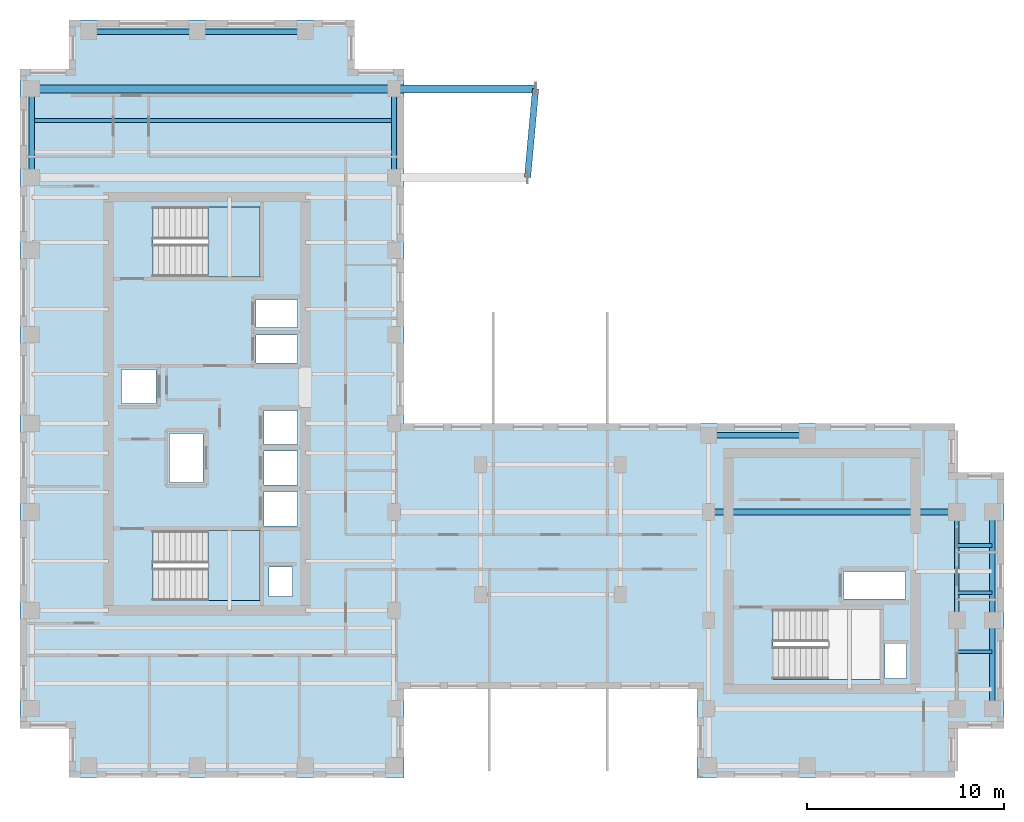
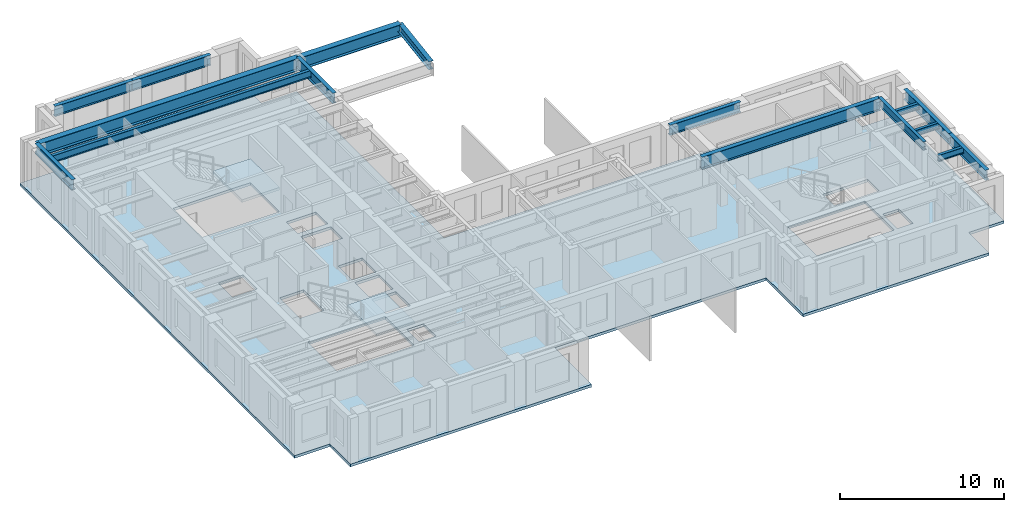
# One storey, part 2 of 11: 16 beams, 3 slabs, 2 elements without a shape of their own.
"""IFC4 building model written with IfcOpenShell, lengths in metres."""

from ifc_helpers import new_model, si_unit, direction, frame, origin, origin_2d, place, context, subcontext, project, spatial, polyline, i_section, outline, extrude, source, transform, mapped, material, layer, layer_set, material_profile, profile_set, type_object, element, aggregate, save


model = new_model("IFC4")

# Units and contexts
model_context = context("Model", 3, precision=1e-05, world=origin(), true_north=direction((0.0, 1.0)))
body_context = subcontext(model_context, "Body", "Model", "MODEL_VIEW")
ifc_project = project(units=[si_unit("LENGTHUNIT", "METRE"), si_unit("AREAUNIT", "SQUARE_METRE"), si_unit("VOLUMEUNIT", "CUBIC_METRE"), si_unit("PLANEANGLEUNIT", "RADIAN"), si_unit("MASSUNIT", "GRAM", prefix="KILO")], contexts=[model_context])

# Site, building, storey
site_placement = place(None, origin())
site = spatial("IfcSite", under=ifc_project, at=site_placement, CompositionType="ELEMENT")
building_placement = place(site_placement, origin())
building = spatial("IfcBuilding", under=site, at=building_placement, Name="Kharzan Plaza Tower", CompositionType="ELEMENT")
storey_placement = place(building_placement, frame((0.0, 0.0, 219.60009765625)))
storey = spatial("IfcBuildingStorey", under=building, at=storey_placement, Name="L59", CompositionType="ELEMENT", Elevation=219.60009765625)

# Beams
ifc_material_1 = material(Name="Steel S355", Category="steel")
ifc_material_profile_1 = material_profile(ifc_material_1, i_section(OverallWidth=0.304931640625, OverallDepth=0.9189453125, WebThickness=0.017333984375, FlangeThickness=0.02783203125, at=origin_2d()), Name="W920x253")
ifc_profile_set_1 = profile_set([ifc_material_profile_1], Name="Steel S355")
beam_type_1 = type_object("IfcBeamType", Name="BM-FG920B", PredefinedType="BEAM", material=ifc_profile_set_1)
shared_shape_1 = source(origin(), body_context, "Body", "SweptSolid", [
    extrude(i_section(OverallWidth=0.304931640625, OverallDepth=0.9189453125, WebThickness=0.017333984375, FlangeThickness=0.02783203125, at=origin_2d()), origin(), (0.0, 0.0, 1.0), 12.60009765625),
])
beam_1_placement = place(storey_placement, frame((35.0, 13.5, 2.9404296875), z_axis=(1.0, 0.0, 0.0), x_axis=(0.0, 1.0, 0.0)))
element("IfcBeam", 1, at=beam_1_placement, inside=storey, type_object=beam_type_1, Name="L59 Primary Floor Girder", PredefinedType="BEAM", context=body_context, shape_type="MappedRepresentation", body=[
    mapped(shared_shape_1, transform((0.0, 0.0, 0.0), x_axis=(1.0, 0.0, 0.0), y_axis=(0.0, 1.0, 0.0), z_axis=(0.0, 0.0, 1.0))),
])
ifc_material_profile_2 = material_profile(ifc_material_1, i_section(OverallWidth=0.2099609375, OverallDepth=0.537109375, WebThickness=0.010986328125, FlangeThickness=0.017333984375, at=origin_2d()), Name="W530x101")
ifc_profile_set_2 = profile_set([ifc_material_profile_2], Name="Steel S355")
beam_type_2 = type_object("IfcBeamType", Name="BM-JST530B", PredefinedType="JOIST", material=ifc_profile_set_2)
shared_shape_2 = source(origin(), body_context, "Body", "SweptSolid", [
    extrude(i_section(OverallWidth=0.2099609375, OverallDepth=0.537109375, WebThickness=0.010986328125, FlangeThickness=0.017333984375, at=origin_2d()), origin(), (0.0, 0.0, 1.0), 18.39990234375),
])
beam_2_placement = place(storey_placement, frame((0.60009765625, 33.39990234375, 3.13134765625), z_axis=(1.0, 0.0, 0.0), x_axis=(0.0, 1.0, 0.0)))
element("IfcBeam", 2, at=beam_2_placement, inside=storey, type_object=beam_type_2, Name="L59 Wing A Composite Joist 05", PredefinedType="JOIST", context=body_context, shape_type="MappedRepresentation", body=[
    mapped(shared_shape_2, transform((0.0, 0.0, 0.0), x_axis=(1.0, 0.0, 0.0), y_axis=(0.0, 1.0, 0.0), z_axis=(0.0, 0.0, 1.0))),
])
ifc_material_profile_3 = material_profile(ifc_material_1, i_section(OverallWidth=0.41796875, OverallDepth=0.93701171875, WebThickness=0.019287109375, FlangeThickness=0.031982421875, at=origin_2d()), Name="W920x342")
ifc_profile_set_3 = profile_set([ifc_material_profile_3], Name="Steel S355")
beam_type_3 = type_object("IfcBeamType", Name="BM-ZTB920", PredefinedType="BEAM", material=ifc_profile_set_3)
shared_shape_3 = source(origin(), body_context, "Body", "SweptSolid", [
    extrude(i_section(OverallWidth=0.41796875, OverallDepth=0.93701171875, WebThickness=0.019287109375, FlangeThickness=0.031982421875, at=origin_2d()), origin(), (0.0, 0.0, 1.0), 18.39990234375),
])
beam_3_placement = place(storey_placement, frame((0.60009765625, 35.0, 2.931396484375), z_axis=(1.0, 0.0, 0.0), x_axis=(0.0, 1.0, 0.0)))
element("IfcBeam", 3, at=beam_3_placement, inside=storey, type_object=beam_type_3, Name="L59 Sky-Terrace Back-Span Girder ZTB1 (L60 G2)", PredefinedType="BEAM", context=body_context, shape_type="MappedRepresentation", body=[
    mapped(shared_shape_3, transform((0.0, 0.0, 0.0), x_axis=(1.0, 0.0, 0.0), y_axis=(0.0, 1.0, 0.0), z_axis=(0.0, 0.0, 1.0))),
])
ifc_material_profile_4 = material_profile(ifc_material_1, i_section(OverallWidth=0.41796875, OverallDepth=0.93701171875, WebThickness=0.019287109375, FlangeThickness=0.031982421875, at=origin_2d()), Name="W920x342")
ifc_profile_set_4 = profile_set([ifc_material_profile_4], Name="Steel S355")
beam_type_4 = type_object("IfcBeamType", Name="BM-ZTG920", PredefinedType="BEAM", material=ifc_profile_set_4)
shared_shape_4 = source(origin(), body_context, "Body", "SweptSolid", [
    extrude(i_section(OverallWidth=0.41796875, OverallDepth=0.93701171875, WebThickness=0.019287109375, FlangeThickness=0.031982421875, at=origin_2d()), origin(), (0.0, 0.0, 1.0), 7.199951171875),
])
beam_4_placement = place(storey_placement, frame((19.0, 35.0, 2.91650390625), z_axis=(1.0, 0.0, 0.0), x_axis=(0.0, 1.0, 0.0)))
element("IfcBeam", 4, at=beam_4_placement, inside=storey, type_object=beam_type_4, Name="L59 Sky-Terrace Cantilever Girder ZTG1 (L60 G2)", PredefinedType="BEAM", context=body_context, shape_type="MappedRepresentation", body=[
    mapped(shared_shape_4, transform((0.0, 0.0, 0.0), x_axis=(1.0, 0.0, 0.0), y_axis=(0.0, 1.0, 0.0), z_axis=(0.0, 0.0, 1.0))),
])
ifc_material_profile_5 = material_profile(ifc_material_1, i_section(OverallWidth=0.324951171875, OverallDepth=0.615966796875, WebThickness=0.013916015625, FlangeThickness=0.021484375, at=origin_2d()), Name="W610x174")
ifc_profile_set_5 = profile_set([ifc_material_profile_5], Name="Steel S355")
beam_type_5 = type_object("IfcBeamType", Name="BM-ZTT610", PredefinedType="BEAM", material=ifc_profile_set_5)
shared_shape_5 = source(origin(), body_context, "Body", "SweptSolid", [
    extrude(i_section(OverallWidth=0.324951171875, OverallDepth=0.615966796875, WebThickness=0.013916015625, FlangeThickness=0.021484375, at=origin_2d()), origin(), (0.0, 0.0, 1.0), 4.5185546875),
])
beam_5_placement = place(storey_placement, frame((25.7900390625, 30.5, 3.076904296875), z_axis=(0.09071599143, 0.995876804077, 0.0), x_axis=(-0.995876804077, 0.09071599143, 0.0)))
element("IfcBeam", 5, at=beam_5_placement, inside=storey, type_object=beam_type_5, Name="L59 Sky-Terrace Edge Trimmer Beam ZTT1 (L60)", PredefinedType="BEAM", context=body_context, shape_type="MappedRepresentation", body=[
    mapped(shared_shape_5, transform((0.0, 0.0, 0.0), x_axis=(1.0, 0.0, 0.0), y_axis=(0.0, 1.0, 0.0), z_axis=(0.0, 0.0, 1.0))),
])
ifc_material_profile_6 = material_profile(ifc_material_1, i_section(OverallWidth=0.22900390625, OverallDepth=0.612060546875, WebThickness=0.011962890625, FlangeThickness=0.01953125, at=origin_2d()), Name="W610x125")
ifc_profile_set_6 = profile_set([ifc_material_profile_6], Name="Steel S355")
beam_type_6 = type_object("IfcBeamType", Name="BM-FG610B", PredefinedType="BEAM", material=ifc_profile_set_6)
shared_shape_6 = source(origin(), body_context, "Body", "SweptSolid", [
    extrude(i_section(OverallWidth=0.22900390625, OverallDepth=0.612060546875, WebThickness=0.011962890625, FlangeThickness=0.01953125, at=origin_2d()), origin(), (0.0, 0.0, 1.0), 5.5),
])
beam_6_placement = place(storey_placement, frame((47.60009765625, 8.0, 3.093994140625), z_axis=(0.0, 1.0, 0.0), x_axis=(-1.0, 0.0, 0.0)))
element("IfcBeam", 6, at=beam_6_placement, inside=storey, type_object=beam_type_6, Name="L59 Interior Frame Girder", PredefinedType="BEAM", context=body_context, shape_type="MappedRepresentation", body=[
    mapped(shared_shape_6, transform((0.0, 0.0, 0.0), x_axis=(1.0, 0.0, 0.0), y_axis=(0.0, 1.0, 0.0), z_axis=(0.0, 0.0, 1.0))),
])
ifc_material_profile_7 = material_profile(ifc_material_1, i_section(OverallWidth=0.194091796875, OverallDepth=0.468994140625, WebThickness=0.011474609375, FlangeThickness=0.0205078125, at=origin_2d()), Name="W460x106")
ifc_profile_set_7 = profile_set([ifc_material_profile_7], Name="Steel S355")
beam_type_7 = type_object("IfcBeamType", Name="BM-JST460", PredefinedType="JOIST", material=ifc_profile_set_7)
shared_shape_7 = source(origin(), body_context, "Body", "SweptSolid", [
    extrude(i_section(OverallWidth=0.194091796875, OverallDepth=0.468994140625, WebThickness=0.011474609375, FlangeThickness=0.0205078125, at=origin_2d()), origin(), (0.0, 0.0, 1.0), 1.7998046875),
])
for number, where, z_axis, x_axis, name in (
    (7, (47.60009765625, 6.39990234375, 3.165283203125), (1.0, 0.0, 0.0), (0.0, 1.0, 0.0), "L59 Wing B Composite Joist 02"),
    (8, (47.60009765625, 9.39990234375, 3.165283203125), (1.0, 0.0, 0.0), (0.0, 1.0, 0.0), "L59 Wing B Composite Joist 03"),
    (9, (47.60009765625, 11.800048828125, 3.165283203125), (1.0, 0.0, 0.0), (0.0, 1.0, 0.0), "L59 Wing B Composite Joist 04"),
):
    element("IfcBeam", number, at=place(storey_placement, frame(where, z_axis=z_axis, x_axis=x_axis)), inside=storey, type_object=beam_type_7, Name=name, PredefinedType="JOIST", context=body_context, shape_type="MappedRepresentation", body=[
        mapped(shared_shape_7, transform((0.0, 0.0, 0.0), x_axis=(1.0, 0.0, 0.0), y_axis=(0.0, 1.0, 0.0), z_axis=(0.0, 0.0, 1.0))),
    ])
ifc_material_profile_8 = material_profile(ifc_material_1, i_section(OverallWidth=0.26708984375, OverallDepth=0.76611328125, WebThickness=0.014892578125, FlangeThickness=0.023681640625, at=origin_2d()), Name="W760x185")
ifc_profile_set_8 = profile_set([ifc_material_profile_8], Name="Steel S355")
beam_type_8 = type_object("IfcBeamType", Name="BM-SP760B", PredefinedType="SPANDREL", material=ifc_profile_set_8)
shared_shape_8 = source(origin(), body_context, "Body", "SweptSolid", [
    extrude(i_section(OverallWidth=0.26708984375, OverallDepth=0.76611328125, WebThickness=0.014892578125, FlangeThickness=0.023681640625, at=origin_2d()), origin(), (0.0, 0.0, 1.0), 5.0),
])
beam_7_placement = place(storey_placement, frame((35.0, 17.39990234375, 3.016845703125), z_axis=(1.0, 0.0, 0.0), x_axis=(0.0, 1.0, 0.0)))
element("IfcBeam", 10, at=beam_7_placement, inside=storey, type_object=beam_type_8, Name="L59 Perimeter Tube Spandrel", PredefinedType="SPANDREL", context=body_context, shape_type="MappedRepresentation", body=[
    mapped(shared_shape_8, transform((0.0, 0.0, 0.0), x_axis=(1.0, 0.0, 0.0), y_axis=(0.0, 1.0, 0.0), z_axis=(0.0, 0.0, 1.0))),
])
shared_shape_9 = source(origin(), body_context, "Body", "SweptSolid", [
    extrude(i_section(OverallWidth=0.26708984375, OverallDepth=0.76611328125, WebThickness=0.014892578125, FlangeThickness=0.023681640625, at=origin_2d()), origin(), (0.0, 0.0, 1.0), 4.5),
])
for number, where, z_axis, x_axis, name in (
    (11, (0.60009765625, 30.5, 3.016845703125), (0.0, 1.0, 0.0), (-1.0, 0.0, 0.0), "L59 Perimeter Tube Spandrel"),
    (12, (19.0, 30.5, 3.016845703125), (0.0, 1.0, 0.0), (-1.0, 0.0, 0.0), "L59 Perimeter Tube Spandrel"),
    (13, (49.39990234375, 3.5, 3.016845703125), (0.0, 1.0, 0.0), (-1.0, 0.0, 0.0), "L59 Perimeter Tube Spandrel"),
):
    element("IfcBeam", number, at=place(storey_placement, frame(where, z_axis=z_axis, x_axis=x_axis)), inside=storey, type_object=beam_type_8, Name=name, PredefinedType="SPANDREL", context=body_context, shape_type="MappedRepresentation", body=[
        mapped(shared_shape_9, transform((0.0, 0.0, 0.0), x_axis=(1.0, 0.0, 0.0), y_axis=(0.0, 1.0, 0.0), z_axis=(0.0, 0.0, 1.0))),
    ])
shared_shape_10 = source(origin(), body_context, "Body", "SweptSolid", [
    extrude(i_section(OverallWidth=0.26708984375, OverallDepth=0.76611328125, WebThickness=0.014892578125, FlangeThickness=0.023681640625, at=origin_2d()), origin(), (0.0, 0.0, 1.0), 5.5),
])
for number, where, z_axis, x_axis, name in (
    (14, (49.39990234375, 8.0, 3.016845703125), (0.0, 1.0, 0.0), (-1.0, 0.0, 0.0), "L59 Perimeter Tube Spandrel"),
    (15, (3.5, 37.89990234375, 3.016845703125), (1.0, 0.0, 0.0), (0.0, 1.0, 0.0), "L59 Perimeter Tube Spandrel"),
    (16, (9.0, 37.89990234375, 3.016845703125), (1.0, 0.0, 0.0), (0.0, 1.0, 0.0), "L59 Perimeter Tube Spandrel"),
):
    element("IfcBeam", number, at=place(storey_placement, frame(where, z_axis=z_axis, x_axis=x_axis)), inside=storey, type_object=beam_type_8, Name=name, PredefinedType="SPANDREL", context=body_context, shape_type="MappedRepresentation", body=[
        mapped(shared_shape_10, transform((0.0, 0.0, 0.0), x_axis=(1.0, 0.0, 0.0), y_axis=(0.0, 1.0, 0.0), z_axis=(0.0, 0.0, 1.0))),
    ])

# Slab
ifc_material_2 = material(Name="Concrete C40/50", Category="concrete")
ifc_layer_1 = layer(ifc_material_2, 0.199951171875)
ifc_layer_set_1 = layer_set([ifc_layer_1], Name="Concrete C40/50")
slab_type_1 = type_object("IfcSlabType", Name="SL-FLOOR-200", PredefinedType="FLOOR", material=ifc_layer_set_1)
slab_1_placement = place(storey_placement, frame((0.0, 0.0, -0.2001953125)))
element("IfcSlab", 17, at=slab_1_placement, inside=storey, type_object=slab_type_1, Name="L59 Composite Structural Floor Slab 200 mm", PredefinedType="FLOOR", context=body_context, shape_type="SweptSolid", body=[
    extrude(outline(polyline([(34.39990234375, 18.0), (19.5, 18.0), (19.5, 36.0), (17.0, 36.0), (17.0, 38.5), (2.5, 38.5), (2.5, 36.0), (0.0, 36.0), (0.0, 2.5), (2.5, 2.5), (2.5, 0.0), (19.5, 0.0), (19.5, 4.5), (34.39990234375, 4.5), (34.39990234375, 0.0), (47.5, 0.0), (47.5, 2.5), (50.0, 2.5), (50.0, 15.5), (47.5, 15.5), (47.5, 18.0), (34.39990234375, 18.0)]), holes=[polyline([(12.199951171875, 12.550048828125), (6.75, 12.550048828125), (6.75, 9.0), (12.199951171875, 9.0), (12.199951171875, 12.550048828125)]), polyline([(14.10009765625, 12.800048828125), (14.10009765625, 14.530029296875), (12.39990234375, 14.530029296875), (12.39990234375, 12.800048828125), (14.10009765625, 12.800048828125)]), polyline([(9.300048828125, 15.0), (9.300048828125, 17.5), (7.60009765625, 17.5), (7.60009765625, 15.0), (9.300048828125, 15.0)]), polyline([(6.89990234375, 20.72998046875), (5.14990234375, 20.72998046875), (5.14990234375, 19.010009765625), (6.89990234375, 19.010009765625), (6.89990234375, 20.72998046875)]), polyline([(14.10009765625, 21.070068359375), (14.10009765625, 22.489990234375), (12.0, 22.489990234375), (12.0, 21.070068359375), (14.10009765625, 21.070068359375)]), polyline([(14.10009765625, 22.8701171875), (14.10009765625, 24.2900390625), (12.0, 24.2900390625), (12.0, 22.8701171875), (14.10009765625, 22.8701171875)]), polyline([(12.199951171875, 29.0), (6.75, 29.0), (6.75, 25.449951171875), (12.199951171875, 25.449951171875), (12.199951171875, 29.0)]), polyline([(45.050048828125, 5.050048828125), (45.050048828125, 6.800048828125), (43.949951171875, 6.800048828125), (43.949951171875, 5.050048828125), (45.050048828125, 5.050048828125)]), polyline([(43.699951171875, 5.0), (43.699951171875, 8.550048828125), (38.25, 8.550048828125), (38.25, 5.0), (43.699951171875, 5.0)]), polyline([(45.0, 9.070068359375), (45.0, 10.469970703125), (41.85009765625, 10.469970703125), (41.85009765625, 9.070068359375), (45.0, 9.070068359375)]), polyline([(13.85009765625, 9.199951171875), (13.85009765625, 10.699951171875), (12.64990234375, 10.699951171875), (12.64990234375, 9.199951171875), (13.85009765625, 9.199951171875)]), polyline([(14.10009765625, 14.8701171875), (14.10009765625, 16.60009765625), (12.39990234375, 16.60009765625), (12.39990234375, 14.8701171875), (14.10009765625, 14.8701171875)]), polyline([(14.10009765625, 16.93994140625), (14.10009765625, 18.64990234375), (12.39990234375, 18.64990234375), (12.39990234375, 16.93994140625), (14.10009765625, 16.93994140625)])]), origin(), (0.0, 0.0, 1.0), 0.2001953125),
])

# Stair, slab
stair_type_1 = type_object("IfcStairType", Name="STR-ST-1", PredefinedType="HALF_TURN_STAIR", material=ifc_material_2)
stair_1_placement = place(storey_placement, origin())
stair_1 = element("IfcStair", 18, at=stair_1_placement, inside=storey, type_object=stair_type_1, Name="L59 Protected Exit Stair ST-1", PredefinedType="HALF_TURN_STAIR")
ifc_layer_2 = layer(ifc_material_2, 0.219970703125)
ifc_layer_set_2 = layer_set([ifc_layer_2], Name="Concrete C40/50")
slab_type_2 = type_object("IfcSlabType", Name="SL-LANDING-220", PredefinedType="LANDING", material=ifc_layer_set_2)
slab_2_placement = place(storey_placement, frame((0.0, 0.0, 1.599853515625)))
slab_2 = element("IfcSlab", 19, at=slab_2_placement, type_object=slab_type_2, Name="ST-1 landing 1", PredefinedType="LANDING", context=body_context, shape_type="SweptSolid", body=[
    extrude(outline(polyline([(9.550048828125, 9.0), (12.199951171875, 9.0), (12.199951171875, 12.550048828125), (9.550048828125, 12.550048828125), (9.550048828125, 9.0)])), origin(), (0.0, 0.0, 1.0), 0.199951171875),
])
aggregate(stair_1, [slab_2])

stair_type_2 = type_object("IfcStairType", Name="STR-ST-2", PredefinedType="HALF_TURN_STAIR", material=ifc_material_2)
stair_2_placement = place(storey_placement, origin())
stair_2 = element("IfcStair", 20, at=stair_2_placement, inside=storey, type_object=stair_type_2, Name="L59 Protected Exit Stair ST-2", PredefinedType="HALF_TURN_STAIR")
slab_3_placement = place(storey_placement, frame((0.0, 0.0, 1.599853515625)))
slab_3 = element("IfcSlab", 21, at=slab_3_placement, type_object=slab_type_2, Name="ST-2 landing 1", PredefinedType="LANDING", context=body_context, shape_type="SweptSolid", body=[
    extrude(outline(polyline([(9.550048828125, 25.449951171875), (12.199951171875, 25.449951171875), (12.199951171875, 29.0), (9.550048828125, 29.0), (9.550048828125, 25.449951171875)])), origin(), (0.0, 0.0, 1.0), 0.199951171875),
])
aggregate(stair_2, [slab_3])

save(model, "model.ifc")
